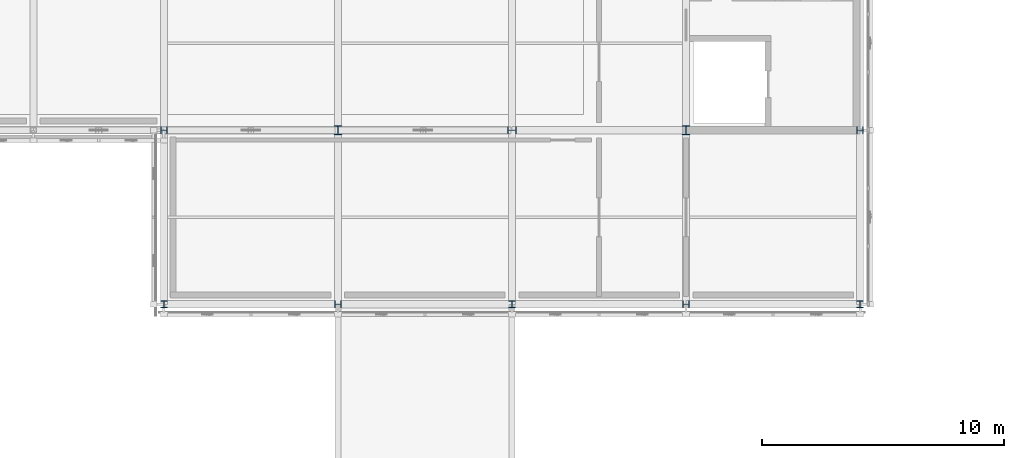
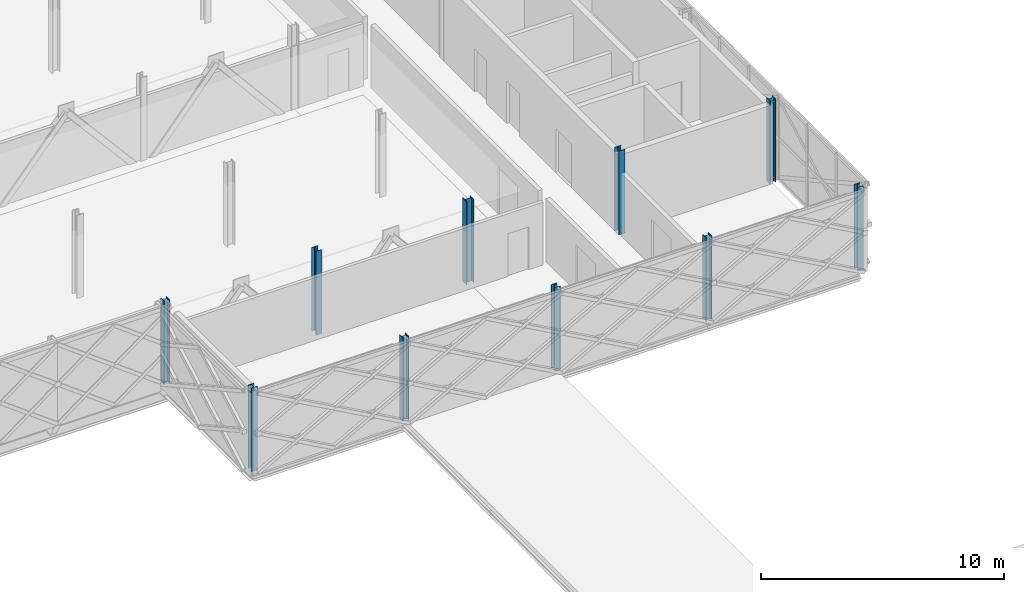
# One storey, part 3 of 103: 10 columns.
"""IFC4 building model written with IfcOpenShell, lengths in metres."""

import ifcopenshell
import ifcopenshell.guid

model = None  # the IFC model being written
_history = None  # IfcOwnerHistory: only IFC2X3 demands one
_inside = {}  # id of a spatial element -> (the spatial element, [elements in it])
_under = {}  # id of a project, library or spatial element -> (it, [spatial elements below it])
_declared = {}  # id of a project -> (the project, [libraries it declares])
_typed = {}  # id of a type object -> (the type object, [elements of that type])
_made_of = {}  # id of a material, layer set ... -> (it, [elements and type objects made of it])


def new_model(schema):
    """Start an empty IFC model of exactly this schema.

    Asked for "IFC4X3", IfcOpenShell would pick the latest addendum, in which some entities
    have other attributes; the version numbers below select the first issue.
    IFC2X3 requires an IfcOwnerHistory on every rooted entity: one is made here for all.
    """
    global model, _history
    if schema == "IFC4X3":
        model = ifcopenshell.file(schema_version=(4, 3, 0, 0))
    else:
        model = ifcopenshell.file(schema=schema)
    _inside.clear()
    _under.clear()
    _declared.clear()
    _typed.clear()
    _made_of.clear()
    _history = None
    if model.schema == "IFC2X3":
        org = make("IfcOrganization", Name="unknown")
        user = make(
            "IfcPersonAndOrganization",
            ThePerson=make("IfcPerson", FamilyName="unknown"),
            TheOrganization=org,
        )
        app = make(
            "IfcApplication",
            ApplicationDeveloper=org,
            Version="unknown",
            ApplicationFullName="unknown",
            ApplicationIdentifier="unknown",
        )
        _history = make(
            "IfcOwnerHistory",
            OwningUser=user,
            OwningApplication=app,
            ChangeAction="ADDED",
            CreationDate=0,
        )
    return model


def make(cls, **values):
    """One entity of the class cls with the attributes given. An attribute that is None is left unset."""
    return model.create_entity(
        cls, **{name: value for name, value in values.items() if value is not None}
    )


def rooted(cls, **values):
    """An entity with a GlobalId (a new one), such as an element, a storey or a relation."""
    return make(cls, GlobalId=ifcopenshell.guid.new(), OwnerHistory=_history, **values)


def si_unit(unit_type, name, prefix=None):
    """IfcSIUnit, for example si_unit("LENGTHUNIT", "METRE", prefix="MILLI")."""
    return make("IfcSIUnit", UnitType=unit_type, Prefix=prefix, Name=name)


def assignment(units):
    """IfcUnitAssignment: the units of a project."""
    return None if units is None else make("IfcUnitAssignment", Units=units)


def point(xyz):
    """IfcCartesianPoint."""
    return None if xyz is None else make("IfcCartesianPoint", Coordinates=xyz)


def direction(xyz):
    """IfcDirection."""
    return None if xyz is None else make("IfcDirection", DirectionRatios=xyz)


def frame(location, z_axis=None, x_axis=None):
    """IfcAxis2Placement3D, a coordinate frame: its origin and axes. An axis left out is left unset."""
    return make(
        "IfcAxis2Placement3D",
        Location=point(location),
        Axis=direction(z_axis),
        RefDirection=direction(x_axis),
    )


def frame_2d(location, x_axis=None):
    """IfcAxis2Placement2D, a coordinate frame in the plane: its origin and x axis."""
    return make(
        "IfcAxis2Placement2D", Location=point(location), RefDirection=direction(x_axis)
    )


def origin():
    """The frame at (0, 0, 0) with its axes left unset."""
    return frame((0.0, 0.0, 0.0))


def origin_2d():
    """The frame at (0, 0) in the plane with its x axis left unset."""
    return frame_2d((0.0, 0.0))


def place(relative_to, where):
    """IfcLocalPlacement: puts the frame where relative to a parent placement (None: the world)."""
    return make(
        "IfcLocalPlacement", PlacementRelTo=relative_to, RelativePlacement=where
    )


def context(
    kind, dimensions, precision=None, world=None, true_north=None, identifier=None
):
    """IfcGeometricRepresentationContext, for example the 3D "Model" context."""
    return make(
        "IfcGeometricRepresentationContext",
        ContextIdentifier=identifier,
        ContextType=kind,
        CoordinateSpaceDimension=dimensions,
        Precision=precision,
        WorldCoordinateSystem=world,
        TrueNorth=true_north,
    )


def subcontext(parent, identifier, kind, view, scale=None):
    """IfcGeometricRepresentationSubContext, for example "Body" below "Model"."""
    return make(
        "IfcGeometricRepresentationSubContext",
        ContextIdentifier=identifier,
        ContextType=kind,
        ParentContext=parent,
        TargetScale=scale,
        TargetView=view,
    )


def project(units=None, contexts=None):
    """IfcProject with its units and contexts."""
    return rooted(
        "IfcProject",
        Name="project",
        RepresentationContexts=contexts,
        UnitsInContext=assignment(units),
    )


def spatial(cls, under=None, at=None, **own):
    """A site, building, storey or space (cls), placed at a placement, below another one or the project."""
    s = rooted(cls, ObjectPlacement=at, **own)
    if under is not None:
        _under.setdefault(under.id(), (under, []))[1].append(s)
    return s


def profile(cls, at=None, kind="AREA", **sizes):
    """A parametric profile (cls). Its sizes go by their IFC names, for example OverallWidth=200.0."""
    return make(cls, ProfileType=kind, Position=at, **sizes)


def i_section(**sizes):
    """IfcIShapeProfileDef."""
    return profile("IfcIShapeProfileDef", **sizes)


def extrude(swept, where, along, depth):
    """IfcExtrudedAreaSolid: the profile swept, set in the frame where, extruded along a direction by depth."""
    return make(
        "IfcExtrudedAreaSolid",
        SweptArea=swept,
        Position=where,
        ExtrudedDirection=direction(along),
        Depth=depth,
    )


def shape(context_of_items, identifier, shape_type, items):
    """IfcShapeRepresentation: the items that make up one representation, for example the "Body"."""
    return make(
        "IfcShapeRepresentation",
        ContextOfItems=context_of_items,
        RepresentationIdentifier=identifier,
        RepresentationType=shape_type,
        Items=items,
    )


def material(Name=None, Category=None):
    """IfcMaterial."""
    return make("IfcMaterial", Name=Name, Category=Category)


def material_profile(
    of_material, cross_section, Name=None, Category=None, Priority=None
):
    """IfcMaterialProfile: a cross section and its material."""
    return make(
        "IfcMaterialProfile",
        Name=Name,
        Material=of_material,
        Profile=cross_section,
        Priority=Priority,
        Category=Category,
    )


def profile_set(profiles, Name=None, composite=None):
    """IfcMaterialProfileSet."""
    return make(
        "IfcMaterialProfileSet",
        Name=Name,
        MaterialProfiles=profiles,
        CompositeProfile=composite,
    )


def made_of(thing, what):
    """Note that an element or type object is made of a material, layer set ...; save() writes the relation."""
    if what is not None:
        _made_of.setdefault(what.id(), (what, []))[1].append(thing)
    return thing


def type_object(cls, material=None, **own):
    """A type object (cls), such as IfcWallType, which elements share."""
    return made_of(rooted(cls, **own), material)


def element(
    cls,
    number,
    at=None,
    inside=None,
    cuts=None,
    type_object=None,
    material=None,
    context=None,
    identifier="Body",
    shape_type=None,
    held_by="IfcProductDefinitionShape",
    body=None,
    shapes=None,
    **own,
):
    """One element of the class cls, such as IfcWall. Its Tag is "e" and its number.

    at: its placement. inside: the storey or other place that contains it. cuts: it is an
    opening in that element (IfcRelVoidsElement). A single representation is given by context,
    identifier, shape_type and body (its items); several are given by shapes. held_by: the class
    of the entity that holds the representations. save() writes the other relations.
    """
    e = rooted(cls, Tag="e%d" % number, ObjectPlacement=at, **own)
    if body is not None:
        shapes = [shape(context, identifier, shape_type, body)]
    if shapes is not None:
        e.Representation = make(held_by, Representations=shapes)
    if inside is not None:
        _inside.setdefault(inside.id(), (inside, []))[1].append(e)
    if cuts is not None:
        rooted(
            "IfcRelVoidsElement", RelatingBuildingElement=cuts, RelatedOpeningElement=e
        )
    if type_object is not None:
        _typed.setdefault(type_object.id(), (type_object, []))[1].append(e)
    return made_of(e, material)


def aggregate(whole, parts):
    """IfcRelAggregates: a whole, such as a stair, and the parts it consists of."""
    return rooted("IfcRelAggregates", RelatingObject=whole, RelatedObjects=parts)


def save(model, path):
    """Write the relations noted so far, then the file.

    IfcRelAggregates (storeys below a building ...), IfcRelContainedInSpatialStructure (elements
    in a storey), IfcRelDefinesByType, IfcRelAssociatesMaterial and IfcRelDeclares: one each for
    every whole, place, type object, material and project.
    """
    for whole, parts in _under.values():
        aggregate(whole, parts)
    for where, things in _inside.values():
        rooted(
            "IfcRelContainedInSpatialStructure",
            RelatedElements=things,
            RelatingStructure=where,
        )
    for kind, things in _typed.values():
        rooted("IfcRelDefinesByType", RelatedObjects=things, RelatingType=kind)
    for what, things in _made_of.values():
        rooted("IfcRelAssociatesMaterial", RelatedObjects=things, RelatingMaterial=what)
    for by, libraries in _declared.values():
        rooted("IfcRelDeclares", RelatingContext=by, RelatedDefinitions=libraries)
    model.write(path)


model = new_model("IFC4")

# Units and contexts
model_context = context("Model", 3, precision=1e-05, world=origin(), true_north=direction((0.0, 1.0)))
body_context = subcontext(model_context, "Body", "Model", "MODEL_VIEW")
ifc_project = project(units=[si_unit("LENGTHUNIT", "METRE"), si_unit("AREAUNIT", "SQUARE_METRE"), si_unit("VOLUMEUNIT", "CUBIC_METRE"), si_unit("PLANEANGLEUNIT", "RADIAN"), si_unit("MASSUNIT", "GRAM", prefix="KILO")], contexts=[model_context])

# Site, building, storey
site_placement = place(None, origin())
site = spatial("IfcSite", under=ifc_project, at=site_placement, CompositionType="ELEMENT")
building_placement = place(site_placement, origin())
building = spatial("IfcBuilding", under=site, at=building_placement, Name="Zlatovets Crest Museum", CompositionType="ELEMENT")
storey_placement = place(building_placement, frame((0.0, 0.0, 12.89990234375)))
storey = spatial("IfcBuildingStorey", under=building, at=storey_placement, Name="L03", CompositionType="ELEMENT", Elevation=12.89990234375)

# Columns
ifc_material = material(Name="Structural steel S355J2", Category="steel")
ifc_material_profile_1 = material_profile(ifc_material, i_section(OverallWidth=0.300048828125, OverallDepth=0.360107421875, WebThickness=0.012451171875, FlangeThickness=0.0224609375, FilletRadius=0.027099609375, at=origin_2d()), Name="HEB 360")
ifc_profile_set_1 = profile_set([ifc_material_profile_1], Name="Structural steel S355J2")
column_type_1 = type_object("IfcColumnType", Name="Col_C-08", PredefinedType="COLUMN", material=ifc_profile_set_1)
for number, where, z_axis, x_axis, name in (
    (1, (14.39990234375, 57.60009765625, 0.0), (0.0, 0.0, 1.0), (1.0, 0.0, 0.0), "V4 L03 Column (14.4, 57.6)"),
    (2, (21.60009765625, 57.60009765625, 0.0), (0.0, 0.0, 1.0), (0.0, 1.0, 0.0), "V4 L03 Column (21.6, 57.6)"),
    (3, (28.800048828125, 57.60009765625, 0.0), (0.0, 0.0, 1.0), (1.0, 0.0, 0.0), "V4 L03 Column (28.8, 57.6)"),
):
    element("IfcColumn", number, at=place(storey_placement, frame(where, z_axis=z_axis, x_axis=x_axis)), inside=storey, type_object=column_type_1, Name=name, PredefinedType="COLUMN", context=body_context, shape_type="SweptSolid", body=[
        extrude(i_section(OverallWidth=0.300048828125, OverallDepth=0.360107421875, WebThickness=0.012451171875, FlangeThickness=0.0224609375, FilletRadius=0.027099609375, at=origin_2d()), origin(), (0.0, 0.0, 1.0), 4.2001953125),
    ])
ifc_material_profile_2 = material_profile(ifc_material, i_section(OverallWidth=0.280029296875, OverallDepth=0.280029296875, WebThickness=0.010498046875, FlangeThickness=0.01806640625, FilletRadius=0.02392578125, at=origin_2d()), Name="HEB 280")
ifc_profile_set_2 = profile_set([ifc_material_profile_2], Name="Structural steel S355J2")
column_type_2 = type_object("IfcColumnType", Name="Col_C-17", PredefinedType="COLUMN", material=ifc_profile_set_2)
for number, where, z_axis, x_axis, name in (
    (4, (7.199951171875, 50.39990234375, 0.0), (0.0, 0.0, 1.0), (1.0, 0.0, 0.0), "V4 L03 Column (7.2, 50.4)"),
    (5, (7.199951171875, 57.60009765625, 0.0), (0.0, 0.0, 1.0), (0.0, 1.0, 0.0), "V4 L03 Column (7.2, 57.6)"),
    (6, (14.39990234375, 50.39990234375, 0.0), (0.0, 0.0, 1.0), (0.0, 1.0, 0.0), "V4 L03 Column (14.4, 50.4)"),
    (7, (21.60009765625, 50.39990234375, 0.0), (0.0, 0.0, 1.0), (1.0, 0.0, 0.0), "V4 L03 Column (21.6, 50.4)"),
    (8, (28.800048828125, 50.39990234375, 0.0), (0.0, 0.0, 1.0), (0.0, 1.0, 0.0), "V4 L03 Column (28.8, 50.4)"),
    (9, (36.0, 50.39990234375, 0.0), (0.0, 0.0, 1.0), (1.0, 0.0, 0.0), "V4 L03 Column (36.0, 50.4)"),
    (10, (36.0, 57.60009765625, 0.0), (0.0, 0.0, 1.0), (0.0, 1.0, 0.0), "V4 L03 Column (36.0, 57.6)"),
):
    element("IfcColumn", number, at=place(storey_placement, frame(where, z_axis=z_axis, x_axis=x_axis)), inside=storey, type_object=column_type_2, Name=name, PredefinedType="COLUMN", context=body_context, shape_type="SweptSolid", body=[
        extrude(i_section(OverallWidth=0.280029296875, OverallDepth=0.280029296875, WebThickness=0.010498046875, FlangeThickness=0.01806640625, FilletRadius=0.02392578125, at=origin_2d()), origin(), (0.0, 0.0, 1.0), 4.2001953125),
    ])

save(model, "model.ifc")
